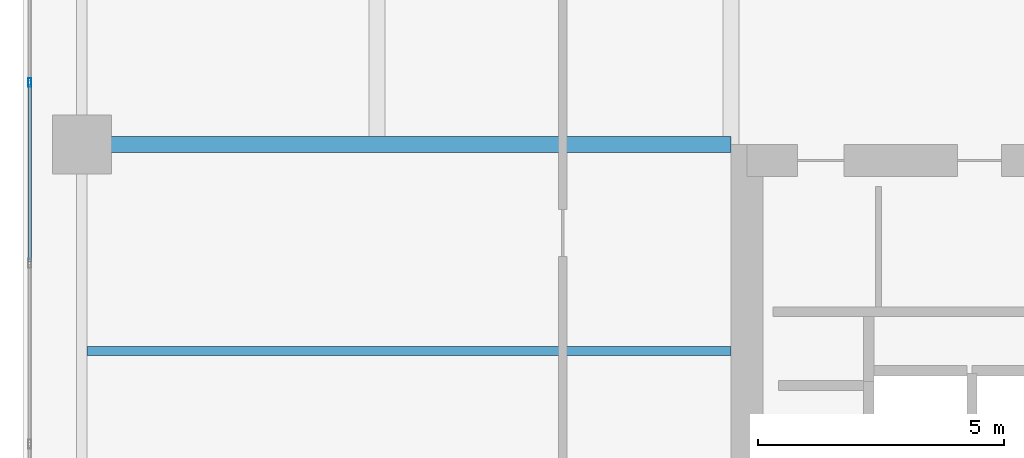
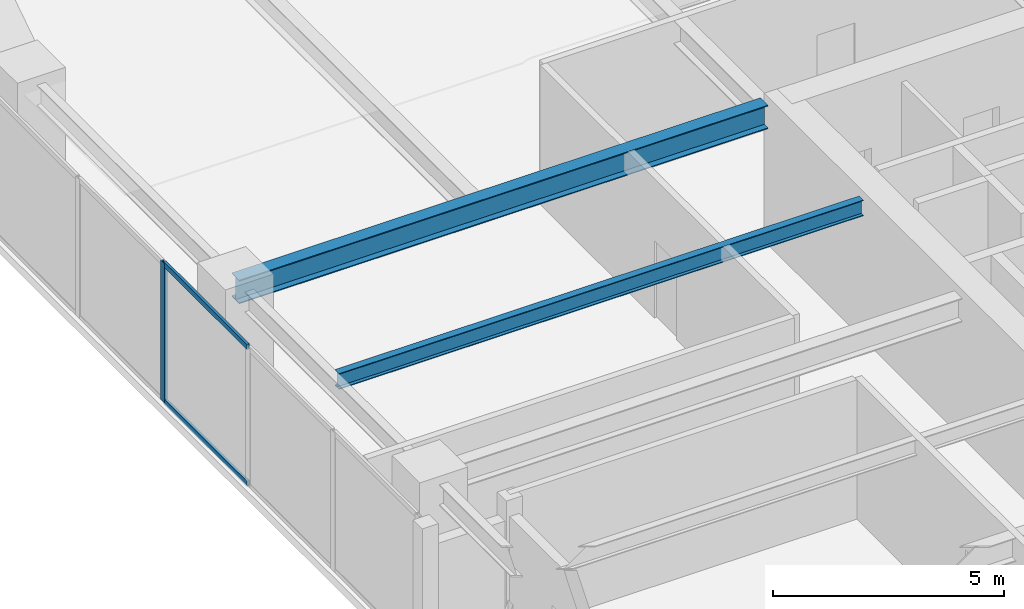
# One storey, part 6 of 30: 3 members, 2 beams, 1 element without a shape of its own.
"""IFC4 building model written with IfcOpenShell, lengths in metres."""

from ifc_helpers import new_model, si_unit, direction, frame, origin, origin_2d, place, context, subcontext, project, spatial, hollow_rectangle, i_section, extrude, material, layer, layer_set, material_profile, profile_set, type_object, element, aggregate, save


model = new_model("IFC4")

# Units and contexts
model_context = context("Model", 3, precision=1e-05, world=origin(), true_north=direction((0.0, 1.0)))
body_context = subcontext(model_context, "Body", "Model", "MODEL_VIEW")
ifc_project = project(units=[si_unit("LENGTHUNIT", "METRE"), si_unit("AREAUNIT", "SQUARE_METRE"), si_unit("VOLUMEUNIT", "CUBIC_METRE"), si_unit("PLANEANGLEUNIT", "RADIAN"), si_unit("MASSUNIT", "GRAM", prefix="KILO")], contexts=[model_context])

# Site, building, storey
site_placement = place(None, origin())
site = spatial("IfcSite", under=ifc_project, at=site_placement, CompositionType="ELEMENT")
building_placement = place(site_placement, origin())
building = spatial("IfcBuilding", under=site, at=building_placement, Name="Kiyonajd Concourse Tower", CompositionType="ELEMENT")
storey_placement = place(building_placement, frame((0.0, 0.0, 201.89990234375)))
storey = spatial("IfcBuildingStorey", under=building, at=storey_placement, Name="L51", CompositionType="ELEMENT", Elevation=201.89990234375)

# Beams
ifc_material_1 = material(Name="Steel ASTM A992 Grade 50", Category="steel")
ifc_material_profile_1 = material_profile(ifc_material_1, i_section(OverallWidth=0.180908203125, OverallDepth=0.4169921875, WebThickness=0.010986328125, FlangeThickness=0.018310546875, at=origin_2d()), Name="W410X85")
ifc_profile_set_1 = profile_set([ifc_material_profile_1], Name="Steel ASTM A992 Grade 50")
beam_type_1 = type_object("IfcBeamType", Name="BM-JST-410", PredefinedType="JOIST", material=ifc_profile_set_1)
beam_1_placement = place(storey_placement, frame((19.306884765625, 40.199951171875, 3.4716796875), z_axis=(1.0, 0.0, 0.0), x_axis=(0.0, 1.0, 0.0)))
element("IfcBeam", 1, at=beam_1_placement, inside=storey, type_object=beam_type_1, Name="L51 West Secondary Floor Joist", PredefinedType="JOIST", context=body_context, shape_type="SweptSolid", body=[
    extrude(i_section(OverallWidth=0.180908203125, OverallDepth=0.4169921875, WebThickness=0.010986328125, FlangeThickness=0.018310546875, at=origin_2d()), origin(), (0.0, 0.0, 1.0), 13.093017578125),
])
ifc_material_profile_2 = material_profile(ifc_material_1, i_section(OverallWidth=0.326904296875, OverallDepth=0.6220703125, WebThickness=0.015380859375, FlangeThickness=0.0244140625, at=origin_2d()), Name="W610X195")
ifc_profile_set_2 = profile_set([ifc_material_profile_2], Name="Steel ASTM A992 Grade 50")
beam_type_2 = type_object("IfcBeamType", Name="BM-TWR-610A", PredefinedType="BEAM", material=ifc_profile_set_2)
beam_2_placement = place(storey_placement, frame((19.199951171875, 44.39990234375, 3.369140625), z_axis=(1.0, 0.0, 0.0), x_axis=(0.0, 1.0, 0.0)))
element("IfcBeam", 2, at=beam_2_placement, inside=storey, type_object=beam_type_2, Name="L51 West Lease Girder", PredefinedType="BEAM", context=body_context, shape_type="SweptSolid", body=[
    extrude(i_section(OverallWidth=0.326904296875, OverallDepth=0.6220703125, WebThickness=0.015380859375, FlangeThickness=0.0244140625, at=origin_2d()), origin(), (0.0, 0.0, 1.0), 13.199951171875),
])

# Curtain wall, members
ifc_material_2 = material(Name="Thermally Broken Anodised Aluminium", Category="aluminium")
ifc_layer = layer(ifc_material_2, 0.179931640625)
ifc_layer_set = layer_set([ifc_layer], Name="Thermally Broken Anodised Aluminium")
curtain_wall_type = type_object("IfcCurtainWallType", Name="CW-SYS-03", PredefinedType="NOTDEFINED", material=ifc_layer_set)
curtain_wall_placement = place(storey_placement, origin())
curtain_wall = element("IfcCurtainWall", 3, at=curtain_wall_placement, inside=storey, type_object=curtain_wall_type, Name="L51 Unitised Curtain Wall CW3", PredefinedType="NOTDEFINED")
ifc_material_profile_3 = material_profile(ifc_material_2, hollow_rectangle(XDim=0.06494140625, YDim=0.179931640625, WallThickness=0.00390625, at=origin_2d()), Name="MULL-65x180")
ifc_profile_set_3 = profile_set([ifc_material_profile_3], Name="Thermally Broken Anodised Aluminium")
member_type_1 = type_object("IfcMemberType", Name="MB-CW-MULL1", PredefinedType="MULLION", material=ifc_profile_set_3)
member_1_placement = place(storey_placement, frame((18.139892578125, 45.660888671875, 0.0), z_axis=(0.0, 0.0, 1.0), x_axis=(-1.0, 0.0, 0.0)))
member_1 = element("IfcMember", 4, at=member_1_placement, type_object=member_type_1, Name="CW3 mullion 4", PredefinedType="MULLION", context=body_context, shape_type="SweptSolid", body=[
    extrude(hollow_rectangle(XDim=0.06494140625, YDim=0.179931640625, WallThickness=0.00390625, at=origin_2d()), origin(), (0.0, 0.0, 1.0), 3.68017578125),
])
ifc_material_profile_4 = material_profile(ifc_material_2, hollow_rectangle(XDim=0.06494140625, YDim=0.139892578125, WallThickness=0.00390625, at=origin_2d()), Name="TRAN-65x140")
ifc_profile_set_4 = profile_set([ifc_material_profile_4], Name="Thermally Broken Anodised Aluminium")
member_type_2 = type_object("IfcMemberType", Name="MB-CW-TRAN1", PredefinedType="USERDEFINED", material=ifc_profile_set_4)
member_2_placement = place(storey_placement, frame((18.139892578125, 42.016357421875, 0.03271484375), z_axis=(0.0, 1.0, 0.0), x_axis=(-1.0, 0.0, 0.0)))
member_2 = element("IfcMember", 5, at=member_2_placement, type_object=member_type_2, Name="CW3 transom 3.1", ObjectType="TRANSOM", PredefinedType="USERDEFINED", context=body_context, shape_type="SweptSolid", body=[
    extrude(hollow_rectangle(XDim=0.06494140625, YDim=0.139892578125, WallThickness=0.00390625, at=origin_2d()), origin(), (0.0, 0.0, 1.0), 3.612060546875),
])
member_3_placement = place(storey_placement, frame((18.139892578125, 42.016357421875, 3.647705078125), z_axis=(0.0, 1.0, 0.0), x_axis=(-1.0, 0.0, 0.0)))
member_3 = element("IfcMember", 6, at=member_3_placement, type_object=member_type_2, Name="CW3 transom 3.2", ObjectType="TRANSOM", PredefinedType="USERDEFINED", context=body_context, shape_type="SweptSolid", body=[
    extrude(hollow_rectangle(XDim=0.06494140625, YDim=0.139892578125, WallThickness=0.00390625, at=origin_2d()), origin(), (0.0, 0.0, 1.0), 3.612060546875),
])
aggregate(curtain_wall, [member_1, member_2, member_3])

save(model, "model.ifc")
